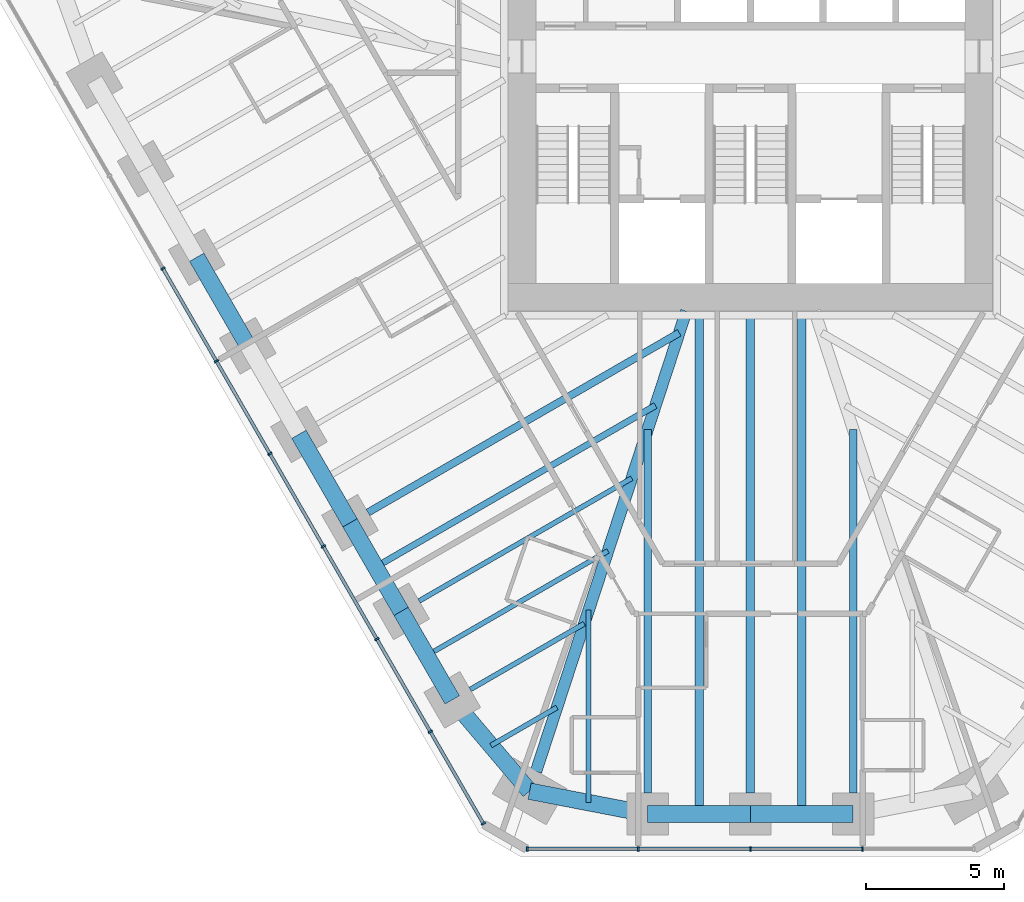
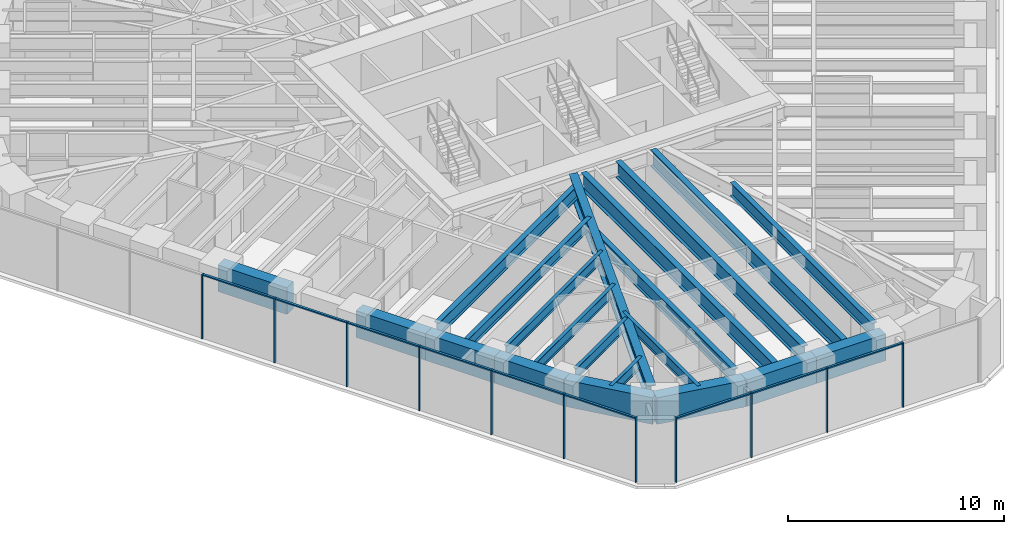
# One storey, part 2 of 16: 21 beams, 20 members, 2 elements without a shape of their own.
"""IFC4 building model written with IfcOpenShell, lengths in metres."""

from ifc_helpers import new_model, si_unit, direction, frame, origin, origin_2d, place, context, subcontext, project, spatial, rectangle, i_section, extrude, material, material_profile, profile_set, type_object, element, aggregate, save


model = new_model("IFC4")

# Units and contexts
model_context = context("Model", 3, precision=1e-05, world=origin(), true_north=direction((0.0, 1.0)))
body_context = subcontext(model_context, "Body", "Model", "MODEL_VIEW")
ifc_project = project(units=[si_unit("LENGTHUNIT", "METRE"), si_unit("AREAUNIT", "SQUARE_METRE"), si_unit("VOLUMEUNIT", "CUBIC_METRE"), si_unit("PLANEANGLEUNIT", "RADIAN"), si_unit("MASSUNIT", "GRAM", prefix="KILO")], contexts=[model_context])

# Site, building, storey
site_placement = place(None, origin())
site = spatial("IfcSite", under=ifc_project, at=site_placement, CompositionType="ELEMENT")
building_placement = place(site_placement, origin())
building = spatial("IfcBuilding", under=site, at=building_placement, Name="Sandreach Pilgrim Tower", CompositionType="ELEMENT")
storey_placement = place(building_placement, frame((0.0, 0.0, 202.199951171875)))
storey = spatial("IfcBuildingStorey", under=building, at=storey_placement, Name="L50", CompositionType="ELEMENT", Elevation=202.199951171875)

# Curtain wall, members
ifc_material_1 = material(Name="Aluminium framed curtain wall", Category="aluminium")
curtain_wall_type = type_object("IfcCurtainWallType", Name="Upper hotel tower curtain wall", PredefinedType="NOTDEFINED", material=ifc_material_1)
curtain_wall_1_placement = place(storey_placement, origin())
curtain_wall_1 = element("IfcCurtainWall", 1, at=curtain_wall_1_placement, inside=storey, type_object=curtain_wall_type, Name="CW-3 L50 S", PredefinedType="NOTDEFINED")
ifc_material_2 = material(Name="Aluminium extrusion", Category="aluminium")
ifc_material_profile_1 = material_profile(ifc_material_2, rectangle(XDim=0.06494140625, YDim=0.159912109375, at=origin_2d()), Name="CW-3M 65X160")
ifc_profile_set_1 = profile_set([ifc_material_profile_1], Name="Aluminium extrusion")
member_type_1 = type_object("IfcMemberType", Name="CW-3 mullion", PredefinedType="MULLION", material=ifc_profile_set_1)
member_1_placement = place(storey_placement, frame((4.048583984375, -26.525146484375, 0.0), z_axis=(0.0, 0.0, 1.0), x_axis=(-1.0, 0.0, 0.0)))
member_1 = element("IfcMember", 2, at=member_1_placement, type_object=member_type_1, Name="CW-3 mullion 2", PredefinedType="MULLION", context=body_context, shape_type="SweptSolid", body=[
    extrude(rectangle(XDim=0.06494140625, YDim=0.159912109375, at=origin_2d()), origin(), (0.0, 0.0, 1.0), 3.64013671875),
])
member_2_placement = place(storey_placement, frame((0.0, -26.525146484375, 0.0), z_axis=(0.0, 0.0, 1.0), x_axis=(-1.0, 0.0, 0.0)))
member_2 = element("IfcMember", 3, at=member_2_placement, type_object=member_type_1, Name="CW-3 mullion 3", PredefinedType="MULLION", context=body_context, shape_type="SweptSolid", body=[
    extrude(rectangle(XDim=0.06494140625, YDim=0.159912109375, at=origin_2d()), origin(), (0.0, 0.0, 1.0), 3.64013671875),
])
member_3_placement = place(storey_placement, frame((-4.048583984375, -26.525146484375, 0.0), z_axis=(0.0, 0.0, 1.0), x_axis=(-1.0, 0.0, 0.0)))
member_3 = element("IfcMember", 4, at=member_3_placement, type_object=member_type_1, Name="CW-3 mullion 4", PredefinedType="MULLION", context=body_context, shape_type="SweptSolid", body=[
    extrude(rectangle(XDim=0.06494140625, YDim=0.159912109375, at=origin_2d()), origin(), (0.0, 0.0, 1.0), 3.64013671875),
])
member_4_placement = place(storey_placement, frame((-8.06494140625, -26.525146484375, 0.0), z_axis=(0.0, 0.0, 1.0), x_axis=(-1.0, 0.0, 0.0)))
member_4 = element("IfcMember", 5, at=member_4_placement, type_object=member_type_1, Name="CW-3 mullion 5", PredefinedType="MULLION", context=body_context, shape_type="SweptSolid", body=[
    extrude(rectangle(XDim=0.06494140625, YDim=0.159912109375, at=origin_2d()), origin(), (0.0, 0.0, 1.0), 3.64013671875),
])

curtain_wall_2_placement = place(storey_placement, origin())
curtain_wall_2 = element("IfcCurtainWall", 6, at=curtain_wall_2_placement, inside=storey, type_object=curtain_wall_type, Name="CW-3 L50 SW", PredefinedType="NOTDEFINED")
member_5_placement = place(storey_placement, frame((-9.646484375, -25.612060546875, 0.0), z_axis=(0.0, 0.0, 1.0), x_axis=(-0.5, 0.866025403784, 0.0)))
member_5 = element("IfcMember", 7, at=member_5_placement, type_object=member_type_1, Name="CW-3 mullion 1", PredefinedType="MULLION", context=body_context, shape_type="SweptSolid", body=[
    extrude(rectangle(XDim=0.06494140625, YDim=0.159912109375, at=origin_2d()), origin(), (0.0, 0.0, 1.0), 3.64013671875),
])
member_6_placement = place(storey_placement, frame((-11.5625, -22.29345703125, 0.0), z_axis=(0.0, 0.0, 1.0), x_axis=(-0.5, 0.866025403784, 0.0)))
member_6 = element("IfcMember", 8, at=member_6_placement, type_object=member_type_1, Name="CW-3 mullion 2", PredefinedType="MULLION", context=body_context, shape_type="SweptSolid", body=[
    extrude(rectangle(XDim=0.06494140625, YDim=0.159912109375, at=origin_2d()), origin(), (0.0, 0.0, 1.0), 3.64013671875),
])
member_7_placement = place(storey_placement, frame((-13.49462890625, -18.94677734375, 0.0), z_axis=(0.0, 0.0, 1.0), x_axis=(-0.5, 0.866025403784, 0.0)))
member_7 = element("IfcMember", 9, at=member_7_placement, type_object=member_type_1, Name="CW-3 mullion 3", PredefinedType="MULLION", context=body_context, shape_type="SweptSolid", body=[
    extrude(rectangle(XDim=0.06494140625, YDim=0.159912109375, at=origin_2d()), origin(), (0.0, 0.0, 1.0), 3.64013671875),
])
member_8_placement = place(storey_placement, frame((-15.4267578125, -15.60009765625, 0.0), z_axis=(0.0, 0.0, 1.0), x_axis=(-0.5, 0.866025403784, 0.0)))
member_8 = element("IfcMember", 10, at=member_8_placement, type_object=member_type_1, Name="CW-3 mullion 4", PredefinedType="MULLION", context=body_context, shape_type="SweptSolid", body=[
    extrude(rectangle(XDim=0.06494140625, YDim=0.159912109375, at=origin_2d()), origin(), (0.0, 0.0, 1.0), 3.64013671875),
])
member_9_placement = place(storey_placement, frame((-17.359130859375, -12.25341796875, 0.0), z_axis=(0.0, 0.0, 1.0), x_axis=(-0.5, 0.866025403784, 0.0)))
member_9 = element("IfcMember", 11, at=member_9_placement, type_object=member_type_1, Name="CW-3 mullion 5", PredefinedType="MULLION", context=body_context, shape_type="SweptSolid", body=[
    extrude(rectangle(XDim=0.06494140625, YDim=0.159912109375, at=origin_2d()), origin(), (0.0, 0.0, 1.0), 3.64013671875),
])
member_10_placement = place(storey_placement, frame((-19.291259765625, -8.90673828125, 0.0), z_axis=(0.0, 0.0, 1.0), x_axis=(-0.5, 0.866025403784, 0.0)))
member_10 = element("IfcMember", 12, at=member_10_placement, type_object=member_type_1, Name="CW-3 mullion 6", PredefinedType="MULLION", context=body_context, shape_type="SweptSolid", body=[
    extrude(rectangle(XDim=0.06494140625, YDim=0.159912109375, at=origin_2d()), origin(), (0.0, 0.0, 1.0), 3.64013671875),
])
member_11_placement = place(storey_placement, frame((-21.223388671875, -5.56005859375, 0.0), z_axis=(0.0, 0.0, 1.0), x_axis=(-0.5, 0.866025403784, 0.0)))
member_11 = element("IfcMember", 13, at=member_11_placement, type_object=member_type_1, Name="CW-3 mullion 7", PredefinedType="MULLION", context=body_context, shape_type="SweptSolid", body=[
    extrude(rectangle(XDim=0.06494140625, YDim=0.159912109375, at=origin_2d()), origin(), (0.0, 0.0, 1.0), 3.64013671875),
])

# Member
ifc_material_3 = material(Name="Aluminium extrusion", Category="aluminium")
ifc_material_profile_2 = material_profile(ifc_material_3, rectangle(XDim=0.1201171875, YDim=0.070068359375, at=origin_2d()), Name="CW-3T 120X70")
ifc_profile_set_2 = profile_set([ifc_material_profile_2], Name="Aluminium extrusion")
member_type_2 = type_object("IfcMemberType", Name="CW-3 transom", PredefinedType="USERDEFINED", material=ifc_profile_set_2)
member_12_placement = place(storey_placement, frame((4.01611328125, -26.525146484375, 3.60498046875), z_axis=(-1.0, 0.0, 0.0), x_axis=(0.0, -1.0, 0.0)))
member_12 = element("IfcMember", 14, at=member_12_placement, type_object=member_type_2, Name="CW-3 head transom 2", ObjectType="TRANSOM", PredefinedType="USERDEFINED", context=body_context, shape_type="SweptSolid", body=[
    extrude(rectangle(XDim=0.1201171875, YDim=0.070068359375, at=origin_2d()), origin(), (0.0, 0.0, 1.0), 3.983642578125),
])

member_13_placement = place(storey_placement, frame((-0.032470703125, -26.525146484375, 3.60498046875), z_axis=(-1.0, 0.0, 0.0), x_axis=(0.0, -1.0, 0.0)))
member_13 = element("IfcMember", 15, at=member_13_placement, type_object=member_type_2, Name="CW-3 head transom 3", ObjectType="TRANSOM", PredefinedType="USERDEFINED", context=body_context, shape_type="SweptSolid", body=[
    extrude(rectangle(XDim=0.1201171875, YDim=0.070068359375, at=origin_2d()), origin(), (0.0, 0.0, 1.0), 3.983642578125),
])

member_14_placement = place(storey_placement, frame((-4.081298828125, -26.525146484375, 3.60498046875), z_axis=(-1.0, 0.0, 0.0), x_axis=(0.0, -1.0, 0.0)))
member_14 = element("IfcMember", 16, at=member_14_placement, type_object=member_type_2, Name="CW-3 head transom 4", ObjectType="TRANSOM", PredefinedType="USERDEFINED", context=body_context, shape_type="SweptSolid", body=[
    extrude(rectangle(XDim=0.1201171875, YDim=0.070068359375, at=origin_2d()), origin(), (0.0, 0.0, 1.0), 3.951171875),
])

aggregate(curtain_wall_1, [member_1, member_2, member_3, member_4, member_12, member_13, member_14])

member_15_placement = place(storey_placement, frame((-9.662841796875, -25.583740234375, 3.60498046875), z_axis=(-0.499973055223, 0.8660409598, 0.0), x_axis=(-0.8660409598, -0.499973055223, 0.0)))
member_15 = element("IfcMember", 17, at=member_15_placement, type_object=member_type_2, Name="CW-3 head transom 1", ObjectType="TRANSOM", PredefinedType="USERDEFINED", context=body_context, shape_type="SweptSolid", body=[
    extrude(rectangle(XDim=0.1201171875, YDim=0.070068359375, at=origin_2d()), origin(), (0.0, 0.0, 1.0), 3.766845703125),
])

member_16_placement = place(storey_placement, frame((-11.57861328125, -22.265380859375, 3.60498046875), z_axis=(-0.500022797313, 0.86601224135, 0.0), x_axis=(-0.86601224135, -0.500022797313, 0.0)))
member_16 = element("IfcMember", 18, at=member_16_placement, type_object=member_type_2, Name="CW-3 head transom 2", ObjectType="TRANSOM", PredefinedType="USERDEFINED", context=body_context, shape_type="SweptSolid", body=[
    extrude(rectangle(XDim=0.1201171875, YDim=0.070068359375, at=origin_2d()), origin(), (0.0, 0.0, 1.0), 3.799560546875),
])

member_17_placement = place(storey_placement, frame((-13.510986328125, -18.918701171875, 3.60498046875), z_axis=(-0.499974606132, 0.866040064445, 0.0), x_axis=(-0.866040064445, -0.499974606132, 0.0)))
member_17 = element("IfcMember", 19, at=member_17_placement, type_object=member_type_2, Name="CW-3 head transom 3", ObjectType="TRANSOM", PredefinedType="USERDEFINED", context=body_context, shape_type="SweptSolid", body=[
    extrude(rectangle(XDim=0.1201171875, YDim=0.070068359375, at=origin_2d()), origin(), (0.0, 0.0, 1.0), 3.799560546875),
])

member_18_placement = place(storey_placement, frame((-15.443115234375, -15.572021484375, 3.60498046875), z_axis=(-0.499974606132, 0.866040064445, 0.0), x_axis=(-0.866040064445, -0.499974606132, 0.0)))
member_18 = element("IfcMember", 20, at=member_18_placement, type_object=member_type_2, Name="CW-3 head transom 4", ObjectType="TRANSOM", PredefinedType="USERDEFINED", context=body_context, shape_type="SweptSolid", body=[
    extrude(rectangle(XDim=0.1201171875, YDim=0.070068359375, at=origin_2d()), origin(), (0.0, 0.0, 1.0), 3.799560546875),
])

member_19_placement = place(storey_placement, frame((-17.375244140625, -12.225341796875, 3.60498046875), z_axis=(-0.500022797313, 0.86601224135, 0.0), x_axis=(-0.86601224135, -0.500022797313, 0.0)))
member_19 = element("IfcMember", 21, at=member_19_placement, type_object=member_type_2, Name="CW-3 head transom 5", ObjectType="TRANSOM", PredefinedType="USERDEFINED", context=body_context, shape_type="SweptSolid", body=[
    extrude(rectangle(XDim=0.1201171875, YDim=0.070068359375, at=origin_2d()), origin(), (0.0, 0.0, 1.0), 3.799560546875),
])

member_20_placement = place(storey_placement, frame((-19.3076171875, -8.878662109375, 3.60498046875), z_axis=(-0.499974606132, 0.866040064445, 0.0), x_axis=(-0.866040064445, -0.499974606132, 0.0)))
member_20 = element("IfcMember", 22, at=member_20_placement, type_object=member_type_2, Name="CW-3 head transom 6", ObjectType="TRANSOM", PredefinedType="USERDEFINED", context=body_context, shape_type="SweptSolid", body=[
    extrude(rectangle(XDim=0.1201171875, YDim=0.070068359375, at=origin_2d()), origin(), (0.0, 0.0, 1.0), 3.799560546875),
])

aggregate(curtain_wall_2, [member_5, member_6, member_7, member_8, member_9, member_10, member_11, member_15, member_16, member_17, member_18, member_19, member_20])

# Beams
ifc_material_4 = material(Name="Steel ASTM A992 Grade 50", Category="steel")
ifc_material_profile_3 = material_profile(ifc_material_4, i_section(OverallWidth=0.421630859375, OverallDepth=0.95751953125, WebThickness=0.02587890625, FlangeThickness=0.046875, at=origin_2d()), Name="W36X330")
ifc_profile_set_3 = profile_set([ifc_material_profile_3], Name="Steel ASTM A992 Grade 50")
beam_type_1 = type_object("IfcBeamType", Name="Corner girder W36X330", PredefinedType="BEAM", material=ifc_profile_set_3)
beam_1_placement = place(storey_placement, frame((-7.745849609375, -23.72900390625, 3.161376953125), z_axis=(0.310317870968, 0.950632851819, 0.0), x_axis=(-0.950632851819, 0.310317870968, 0.0)))
element("IfcBeam", 23, at=beam_1_placement, inside=storey, type_object=beam_type_1, Name="BM L50 CG26", PredefinedType="BEAM", context=body_context, shape_type="SweptSolid", body=[
    extrude(i_section(OverallWidth=0.421630859375, OverallDepth=0.95751953125, WebThickness=0.02587890625, FlangeThickness=0.046875, at=origin_2d()), origin(), (0.0, 0.0, 1.0), 17.492431640625),
])
ifc_material_5 = material(Name="Steel ASTM A992 Grade 50", Category="steel")
ifc_material_profile_4 = material_profile(ifc_material_5, i_section(OverallWidth=0.1787109375, OverallDepth=0.60205078125, WebThickness=0.010986328125, FlangeThickness=0.014892578125, at=origin_2d()), Name="W24X62")
ifc_profile_set_4 = profile_set([ifc_material_profile_4], Name="Steel ASTM A992 Grade 50")
beam_type_2 = type_object("IfcBeamType", Name="Floor beam W24X62", PredefinedType="BEAM", material=ifc_profile_set_4)
beam_2_placement = place(storey_placement, frame((-10.12255859375, -20.767333984375, 3.339111328125), z_axis=(0.86603347311, 0.499986023258, 0.0), x_axis=(-0.499986023258, 0.86603347311, 0.0)))
element("IfcBeam", 24, at=beam_2_placement, inside=storey, type_object=beam_type_2, Name="BM L50 F27", PredefinedType="BEAM", context=body_context, shape_type="SweptSolid", body=[
    extrude(i_section(OverallWidth=0.1787109375, OverallDepth=0.60205078125, WebThickness=0.010986328125, FlangeThickness=0.014892578125, at=origin_2d()), origin(), (0.0, 0.0, 1.0), 4.757568359375),
])
beam_3_placement = place(storey_placement, frame((-11.96875, -17.569580078125, 3.339111328125), z_axis=(0.866020566617, 0.500008378126, 0.0), x_axis=(-0.500008378126, 0.866020566617, 0.0)))
element("IfcBeam", 25, at=beam_3_placement, inside=storey, type_object=beam_type_2, Name="BM L50 F28", PredefinedType="BEAM", context=body_context, shape_type="SweptSolid", body=[
    extrude(i_section(OverallWidth=0.1787109375, OverallDepth=0.60205078125, WebThickness=0.010986328125, FlangeThickness=0.014892578125, at=origin_2d()), origin(), (0.0, 0.0, 1.0), 8.869384765625),
])
beam_4_placement = place(storey_placement, frame((-5.844482421875, -24.853515625, 3.339111328125), z_axis=(0.0, 1.0, 0.0), x_axis=(-1.0, 0.0, 0.0)))
element("IfcBeam", 26, at=beam_4_placement, inside=storey, type_object=beam_type_2, Name="BM L50 FM25", PredefinedType="BEAM", context=body_context, shape_type="SweptSolid", body=[
    extrude(i_section(OverallWidth=0.1787109375, OverallDepth=0.60205078125, WebThickness=0.010986328125, FlangeThickness=0.014892578125, at=origin_2d()), origin(), (0.0, 0.0, 1.0), 6.94921875),
])
beam_5_placement = place(storey_placement, frame((-9.375244140625, -22.7919921875, 3.339111328125), z_axis=(0.866046803606, 0.49996293259, 0.0), x_axis=(-0.49996293259, 0.866046803606, 0.0)))
element("IfcBeam", 27, at=beam_5_placement, inside=storey, type_object=beam_type_2, Name="BM L50 FM26", PredefinedType="BEAM", context=body_context, shape_type="SweptSolid", body=[
    extrude(i_section(OverallWidth=0.1787109375, OverallDepth=0.60205078125, WebThickness=0.010986328125, FlangeThickness=0.014892578125, at=origin_2d()), origin(), (0.0, 0.0, 1.0), 2.753662109375),
])
beam_6_placement = place(storey_placement, frame((-11.6953125, -19.54345703125, 3.339111328125), z_axis=(0.866029704776, 0.49999255039, 0.0), x_axis=(-0.49999255039, 0.866029704776, 0.0)))
element("IfcBeam", 28, at=beam_6_placement, inside=storey, type_object=beam_type_2, Name="BM L50 FM27", PredefinedType="BEAM", context=body_context, shape_type="SweptSolid", body=[
    extrude(i_section(OverallWidth=0.1787109375, OverallDepth=0.60205078125, WebThickness=0.010986328125, FlangeThickness=0.014892578125, at=origin_2d()), origin(), (0.0, 0.0, 1.0), 7.5634765625),
])
ifc_material_6 = material(Name="Steel ASTM A992 Grade 50", Category="steel")
ifc_material_profile_5 = material_profile(ifc_material_6, i_section(OverallWidth=0.23046875, OverallDepth=0.6171875, WebThickness=0.01318359375, FlangeThickness=0.022216796875, at=origin_2d()), Name="W24X94")
ifc_profile_set_5 = profile_set([ifc_material_profile_5], Name="Steel ASTM A992 Grade 50")
beam_type_3 = type_object("IfcBeamType", Name="Floor beam W24X94", PredefinedType="BEAM", material=ifc_profile_set_5)
beam_7_placement = place(storey_placement, frame((-13.54150390625, -16.345703125, 3.33154296875), z_axis=(0.866026454974, 0.499998179282, 0.0), x_axis=(-0.499998179282, 0.866026454974, 0.0)))
element("IfcBeam", 29, at=beam_7_placement, inside=storey, type_object=beam_type_3, Name="BM L50 FM28", PredefinedType="BEAM", context=body_context, shape_type="SweptSolid", body=[
    extrude(i_section(OverallWidth=0.23046875, OverallDepth=0.6171875, WebThickness=0.01318359375, FlangeThickness=0.022216796875, at=origin_2d()), origin(), (0.0, 0.0, 1.0), 11.67578125),
])
ifc_material_7 = material(Name="Steel ASTM A992 Grade 50", Category="steel")
ifc_material_profile_6 = material_profile(ifc_material_7, i_section(OverallWidth=0.2666015625, OverallDepth=0.761962890625, WebThickness=0.014404296875, FlangeThickness=0.021484375, at=origin_2d()), Name="W30X116")
ifc_profile_set_6 = profile_set([ifc_material_profile_6], Name="Steel ASTM A992 Grade 50")
beam_type_4 = type_object("IfcBeamType", Name="Floor beam W30X116", PredefinedType="BEAM", material=ifc_profile_set_6)
for number, where, z_axis, x_axis, name in (
    (30, (3.71044921875, -24.51513671875, 3.259033203125), (0.0, 1.0, 0.0), (-1.0, 0.0, 0.0), "BM L50 F23"),
    (31, (-3.71044921875, -24.51513671875, 3.259033203125), (0.0, 1.0, 0.0), (-1.0, 0.0, 0.0), "BM L50 F25"),
):
    element("IfcBeam", number, at=place(storey_placement, frame(where, z_axis=z_axis, x_axis=x_axis)), inside=storey, type_object=beam_type_4, Name=name, PredefinedType="BEAM", context=body_context, shape_type="SweptSolid", body=[
        extrude(i_section(OverallWidth=0.2666015625, OverallDepth=0.761962890625, WebThickness=0.014404296875, FlangeThickness=0.021484375, at=origin_2d()), origin(), (0.0, 0.0, 1.0), 13.1484375),
    ])
beam_8_placement = place(storey_placement, frame((-13.815185546875, -14.371826171875, 3.259033203125), z_axis=(0.866025240073, 0.500000283557, 0.0), x_axis=(-0.500000283557, 0.866025240073, 0.0)))
element("IfcBeam", 32, at=beam_8_placement, inside=storey, type_object=beam_type_4, Name="BM L50 F29", PredefinedType="BEAM", context=body_context, shape_type="SweptSolid", body=[
    extrude(i_section(OverallWidth=0.2666015625, OverallDepth=0.761962890625, WebThickness=0.014404296875, FlangeThickness=0.021484375, at=origin_2d()), origin(), (0.0, 0.0, 1.0), 12.98193359375),
])
ifc_material_8 = material(Name="Steel ASTM A992 Grade 50", Category="steel")
ifc_material_profile_7 = material_profile(ifc_material_8, i_section(OverallWidth=0.3046875, OverallDepth=0.914306640625, WebThickness=0.0166015625, FlangeThickness=0.02587890625, at=origin_2d()), Name="W36X160")
ifc_profile_set_7 = profile_set([ifc_material_profile_7], Name="Steel ASTM A992 Grade 50")
beam_type_5 = type_object("IfcBeamType", Name="Floor beam W36X160", PredefinedType="BEAM", material=ifc_profile_set_7)
beam_9_placement = place(storey_placement, frame((0.0, -24.51513671875, 3.182861328125), z_axis=(0.0, 1.0, 0.0), x_axis=(-1.0, 0.0, 0.0)))
element("IfcBeam", 33, at=beam_9_placement, inside=storey, type_object=beam_type_5, Name="BM L50 F24", PredefinedType="BEAM", context=body_context, shape_type="SweptSolid", body=[
    extrude(i_section(OverallWidth=0.3046875, OverallDepth=0.914306640625, WebThickness=0.0166015625, FlangeThickness=0.02587890625, at=origin_2d()), origin(), (0.0, 0.0, 1.0), 17.271728515625),
])
for number, where, z_axis, x_axis, name in (
    (34, (1.855224609375, -25.26513671875, 3.182861328125), (0.0, 1.0, 0.0), (-1.0, 0.0, 0.0), "BM L50 FM23"),
    (35, (-1.855224609375, -25.26513671875, 3.182861328125), (0.0, 1.0, 0.0), (-1.0, 0.0, 0.0), "BM L50 FM24"),
):
    element("IfcBeam", number, at=place(storey_placement, frame(where, z_axis=z_axis, x_axis=x_axis)), inside=storey, type_object=beam_type_5, Name=name, PredefinedType="BEAM", context=body_context, shape_type="SweptSolid", body=[
        extrude(i_section(OverallWidth=0.3046875, OverallDepth=0.914306640625, WebThickness=0.0166015625, FlangeThickness=0.02587890625, at=origin_2d()), origin(), (0.0, 0.0, 1.0), 18.021728515625),
    ])
ifc_material_9 = material(Name="Concrete 10000 psi", Category="concrete")
ifc_material_profile_8 = material_profile(ifc_material_9, rectangle(XDim=0.60009765625, YDim=1.5, at=origin_2d()), Name="RC600X1500")
ifc_profile_set_8 = profile_set([ifc_material_profile_8], Name="Concrete 10000 psi")
beam_type_6 = type_object("IfcBeamType", Name="Spandrel beam RC600X1500", PredefinedType="SPANDREL", material=ifc_profile_set_8)
for number, where, z_axis, x_axis, name in (
    (36, (3.71044921875, -25.26513671875, 2.89013671875), (-1.0, 0.0, 0.0), (0.0, -1.0, 0.0), "BM L50 SP23"),
    (37, (0.0, -25.26513671875, 2.89013671875), (-1.0, 0.0, 0.0), (0.0, -1.0, 0.0), "BM L50 SP24"),
):
    element("IfcBeam", number, at=place(storey_placement, frame(where, z_axis=z_axis, x_axis=x_axis)), inside=storey, type_object=beam_type_6, Name=name, PredefinedType="SPANDREL", context=body_context, shape_type="SweptSolid", body=[
        extrude(rectangle(XDim=0.60009765625, YDim=1.5, at=origin_2d()), origin(), (0.0, 0.0, 1.0), 3.71044921875),
    ])
beam_10_placement = place(storey_placement, frame((-3.71044921875, -25.26513671875, 2.89013671875), z_axis=(-0.981901333807, 0.18939316426, 0.0), x_axis=(-0.18939316426, -0.981901333807, 0.0)))
element("IfcBeam", 38, at=beam_10_placement, inside=storey, type_object=beam_type_6, Name="BM L50 SP25", PredefinedType="SPANDREL", context=body_context, shape_type="SweptSolid", body=[
    extrude(rectangle(XDim=0.60009765625, YDim=1.5, at=origin_2d()), origin(), (0.0, 0.0, 1.0), 4.3466796875),
])
beam_11_placement = place(storey_placement, frame((-7.978515625, -24.44189453125, 2.89013671875), z_axis=(-0.646180160755, 0.76318490541, 0.0), x_axis=(-0.76318490541, -0.646180160755, 0.0)))
element("IfcBeam", 39, at=beam_11_placement, inside=storey, type_object=beam_type_6, Name="BM L50 SP26", PredefinedType="SPANDREL", context=body_context, shape_type="SweptSolid", body=[
    extrude(rectangle(XDim=0.60009765625, YDim=1.5, at=origin_2d()), origin(), (0.0, 0.0, 1.0), 4.323486328125),
])
for number, where, z_axis, x_axis, name in (
    (40, (-10.772216796875, -21.142333984375, 2.89013671875), (-0.499993363642, 0.866029235253, 0.0), (-0.866029235253, -0.499993363642, 0.0), "BM L50 SP27"),
    (41, (-12.618408203125, -17.944580078125, 2.89013671875), (-0.499993363642, 0.866029235253, 0.0), (-0.866029235253, -0.499993363642, 0.0), "BM L50 SP28"),
):
    element("IfcBeam", number, at=place(storey_placement, frame(where, z_axis=z_axis, x_axis=x_axis)), inside=storey, type_object=beam_type_6, Name=name, PredefinedType="SPANDREL", context=body_context, shape_type="SweptSolid", body=[
        extrude(rectangle(XDim=0.60009765625, YDim=1.5, at=origin_2d()), origin(), (0.0, 0.0, 1.0), 3.6923828125),
    ])
beam_12_placement = place(storey_placement, frame((-14.464599609375, -14.746826171875, 2.89013671875), z_axis=(-0.49996473481, 0.866045763194, 0.0), x_axis=(-0.866045763194, -0.49996473481, 0.0)))
element("IfcBeam", 42, at=beam_12_placement, inside=storey, type_object=beam_type_6, Name="BM L50 SP29", PredefinedType="SPANDREL", context=body_context, shape_type="SweptSolid", body=[
    extrude(rectangle(XDim=0.60009765625, YDim=1.5, at=origin_2d()), origin(), (0.0, 0.0, 1.0), 3.692626953125),
])
beam_13_placement = place(storey_placement, frame((-18.1572265625, -8.35107421875, 2.89013671875), z_axis=(-0.499993363642, 0.866029235253, 0.0), x_axis=(-0.866029235253, -0.499993363642, 0.0)))
element("IfcBeam", 43, at=beam_13_placement, inside=storey, type_object=beam_type_6, Name="BM L50 SP31", PredefinedType="SPANDREL", context=body_context, shape_type="SweptSolid", body=[
    extrude(rectangle(XDim=0.60009765625, YDim=1.5, at=origin_2d()), origin(), (0.0, 0.0, 1.0), 3.6923828125),
])

save(model, "model.ifc")
